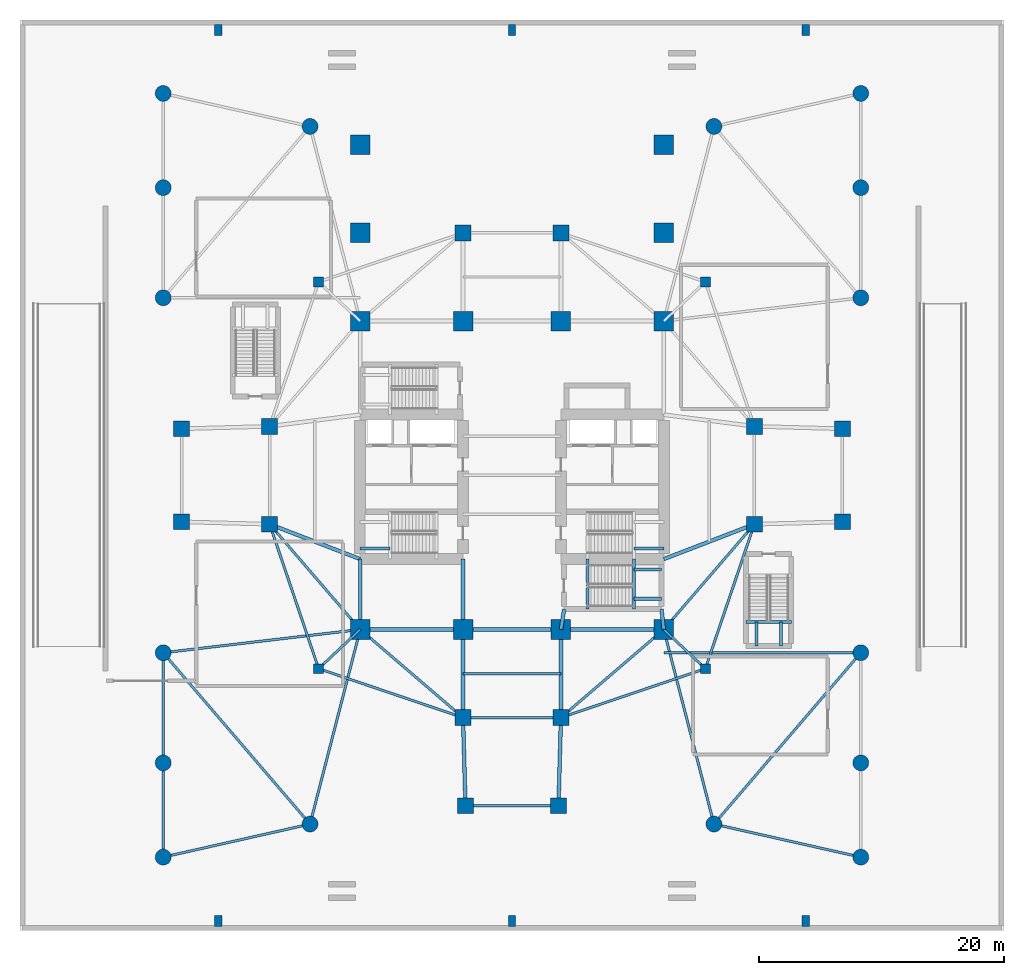
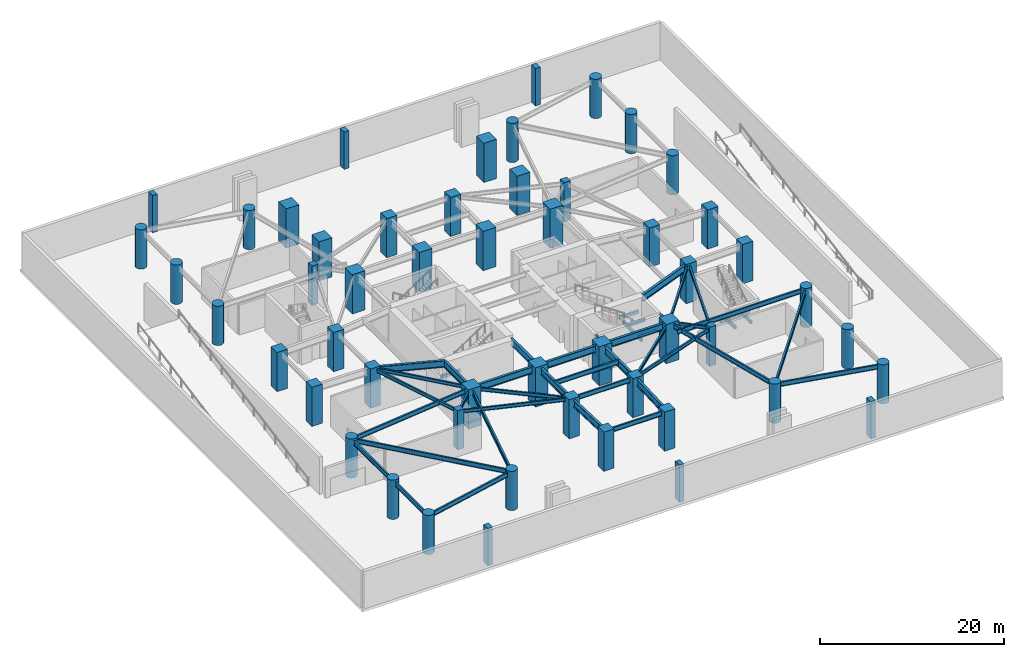
# One storey, part 1 of 12: 52 columns, 45 beams.
"""IFC4 building model written with IfcOpenShell, lengths in metres."""

from ifc_helpers import new_model, si_unit, direction, frame, origin, origin_2d, place, context, subcontext, project, spatial, rectangle, circle, i_section, extrude, material, material_profile, profile_set, type_object, element, save


model = new_model("IFC4")

# Units and contexts
model_context = context("Model", 3, precision=1e-05, world=origin(), true_north=direction((0.0, 1.0)))
body_context = subcontext(model_context, "Body", "Model", "MODEL_VIEW")
ifc_project = project(units=[si_unit("LENGTHUNIT", "METRE"), si_unit("AREAUNIT", "SQUARE_METRE"), si_unit("VOLUMEUNIT", "CUBIC_METRE"), si_unit("PLANEANGLEUNIT", "RADIAN"), si_unit("MASSUNIT", "GRAM", prefix="KILO")], contexts=[model_context])

# Site, building, storey
site_placement = place(None, origin())
site = spatial("IfcSite", under=ifc_project, at=site_placement, CompositionType="ELEMENT")
building_placement = place(site_placement, origin())
building = spatial("IfcBuilding", under=site, at=building_placement, Name="Qingluan Cross Belvedere", CompositionType="ELEMENT")
storey_placement = place(building_placement, frame((0.0, 0.0, -5.199951171875)))
storey = spatial("IfcBuildingStorey", under=building, at=storey_placement, Name="B1", CompositionType="ELEMENT", Elevation=-5.199951171875)

# Columns
ifc_material_1 = material(Name="Concrete C60", Category="concrete")
ifc_material_profile_1 = material_profile(ifc_material_1, rectangle(XDim=1.300048828125, YDim=1.300048828125, at=origin_2d()), Name="RC1300x1300")
ifc_profile_set_1 = profile_set([ifc_material_profile_1], Name="Concrete C60")
column_type_1 = type_object("IfcColumnType", Name="Column_RC1300x1300", PredefinedType="COLUMN", material=ifc_profile_set_1)
for number, where, z_axis, x_axis, name in (
    (1, (19.800048828125, -4.0, 0.0), (0.0, 0.0, 1.0), (1.0, 0.0, 0.0), "Arm column B1-EIA"),
    (2, (19.800048828125, 4.0, 0.0), (0.0, 0.0, 1.0), (1.0, 0.0, 0.0), "Arm column B1-EIB"),
    (3, (-19.800048828125, -4.0, 0.0), (0.0, 0.0, 1.0), (1.0, 0.0, 0.0), "Arm column B1-WIA"),
    (4, (-19.800048828125, 4.0, 0.0), (0.0, 0.0, 1.0), (1.0, 0.0, 0.0), "Arm column B1-WIB"),
    (5, (-4.0, -19.800048828125, 0.0), (0.0, 0.0, 1.0), (1.0, 0.0, 0.0), "Arm column B1-SIA"),
    (6, (4.0, -19.800048828125, 0.0), (0.0, 0.0, 1.0), (1.0, 0.0, 0.0), "Arm column B1-SIB"),
    (7, (-4.0, 19.800048828125, 0.0), (0.0, 0.0, 1.0), (1.0, 0.0, 0.0), "Arm column B1-NIA"),
    (8, (4.0, 19.800048828125, 0.0), (0.0, 0.0, 1.0), (1.0, 0.0, 0.0), "Arm column B1-NIB"),
    (9, (27.0, -3.800048828125, 0.0), (0.0, 0.0, 1.0), (1.0, 0.0, 0.0), "Arm column B1-EOA"),
    (10, (27.0, 3.800048828125, 0.0), (0.0, 0.0, 1.0), (1.0, 0.0, 0.0), "Arm column B1-EOB"),
    (11, (-27.0, -3.800048828125, 0.0), (0.0, 0.0, 1.0), (1.0, 0.0, 0.0), "Arm column B1-WOA"),
    (12, (-27.0, 3.800048828125, 0.0), (0.0, 0.0, 1.0), (1.0, 0.0, 0.0), "Arm column B1-WOB"),
    (13, (-3.800048828125, -27.0, 0.0), (0.0, 0.0, 1.0), (1.0, 0.0, 0.0), "Arm column B1-SOA"),
    (14, (3.800048828125, -27.0, 0.0), (0.0, 0.0, 1.0), (1.0, 0.0, 0.0), "Arm column B1-SOB"),
):
    element("IfcColumn", number, at=place(storey_placement, frame(where, z_axis=z_axis, x_axis=x_axis)), inside=storey, type_object=column_type_1, Name=name, PredefinedType="COLUMN", context=body_context, shape_type="SweptSolid", body=[
        extrude(rectangle(XDim=1.300048828125, YDim=1.300048828125, at=origin_2d()), origin(), (0.0, 0.0, 1.0), 5.199951171875),
    ])
ifc_material_2 = material(Name="Concrete C70", Category="concrete")
ifc_material_profile_2 = material_profile(ifc_material_2, rectangle(XDim=1.60009765625, YDim=1.60009765625, at=origin_2d()), Name="RC1600x1600")
ifc_profile_set_2 = profile_set([ifc_material_profile_2], Name="Concrete C70")
column_type_2 = type_object("IfcColumnType", Name="Column_RC1600x1600", PredefinedType="COLUMN", material=ifc_profile_set_2)
for number, where, z_axis, x_axis, name in (
    (15, (-12.39990234375, 19.800048828125, 0.0), (0.0, 0.0, 1.0), (1.0, 0.0, 0.0), "Ballroom transfer pier B1-BM1W"),
    (16, (-12.39990234375, 27.0, 0.0), (0.0, 0.0, 1.0), (1.0, 0.0, 0.0), "Ballroom transfer pier B1-BM2W"),
    (17, (12.39990234375, 19.800048828125, 0.0), (0.0, 0.0, 1.0), (1.0, 0.0, 0.0), "Ballroom transfer pier B1-BM1E"),
    (18, (12.39990234375, 27.0, 0.0), (0.0, 0.0, 1.0), (1.0, 0.0, 0.0), "Ballroom transfer pier B1-BM2E"),
    (19, (-12.39990234375, -12.60009765625, 0.0), (0.0, 0.0, 1.0), (1.0, 0.0, 0.0), "Hub column B1-HC1"),
    (20, (12.39990234375, -12.60009765625, 0.0), (0.0, 0.0, 1.0), (1.0, 0.0, 0.0), "Hub column B1-HC2"),
    (21, (12.39990234375, 12.60009765625, 0.0), (0.0, 0.0, 1.0), (1.0, 0.0, 0.0), "Hub column B1-HC3"),
    (22, (-12.39990234375, 12.60009765625, 0.0), (0.0, 0.0, 1.0), (1.0, 0.0, 0.0), "Hub column B1-HC4"),
    (23, (-4.0, -12.60009765625, 0.0), (0.0, 0.0, 1.0), (1.0, 0.0, 0.0), "Hub column B1-HC5"),
    (24, (4.0, -12.60009765625, 0.0), (0.0, 0.0, 1.0), (1.0, 0.0, 0.0), "Hub column B1-HC6"),
    (25, (4.0, 12.60009765625, 0.0), (0.0, 0.0, 1.0), (1.0, 0.0, 0.0), "Hub column B1-HC7"),
    (26, (-4.0, 12.60009765625, 0.0), (0.0, 0.0, 1.0), (1.0, 0.0, 0.0), "Hub column B1-HC8"),
):
    element("IfcColumn", number, at=place(storey_placement, frame(where, z_axis=z_axis, x_axis=x_axis)), inside=storey, type_object=column_type_2, Name=name, PredefinedType="COLUMN", context=body_context, shape_type="SweptSolid", body=[
        extrude(rectangle(XDim=1.60009765625, YDim=1.60009765625, at=origin_2d()), origin(), (0.0, 0.0, 1.0), 5.199951171875),
    ])
ifc_material_3 = material(Name="Concrete C50", Category="concrete")
ifc_material_profile_3 = material_profile(ifc_material_3, rectangle(XDim=0.800048828125, YDim=0.800048828125, at=origin_2d()), Name="RC800x800")
ifc_profile_set_3 = profile_set([ifc_material_profile_3], Name="Concrete C50")
column_type_3 = type_object("IfcColumnType", Name="Column_RC800x800", PredefinedType="COLUMN", material=ifc_profile_set_3)
for number, where, z_axis, x_axis, name in (
    (27, (15.800048828125, 15.800048828125, 0.0), (0.0, 0.0, 1.0), (1.0, 0.0, 0.0), "Corner column B1-RNE"),
    (28, (-15.800048828125, 15.800048828125, 0.0), (0.0, 0.0, 1.0), (1.0, 0.0, 0.0), "Corner column B1-RNW"),
    (29, (-15.800048828125, -15.800048828125, 0.0), (0.0, 0.0, 1.0), (1.0, 0.0, 0.0), "Corner column B1-RSW"),
    (30, (15.800048828125, -15.800048828125, 0.0), (0.0, 0.0, 1.0), (1.0, 0.0, 0.0), "Corner column B1-RSE"),
):
    element("IfcColumn", number, at=place(storey_placement, frame(where, z_axis=z_axis, x_axis=x_axis)), inside=storey, type_object=column_type_3, Name=name, PredefinedType="COLUMN", context=body_context, shape_type="SweptSolid", body=[
        extrude(rectangle(XDim=0.800048828125, YDim=0.800048828125, at=origin_2d()), origin(), (0.0, 0.0, 1.0), 5.199951171875),
    ])
ifc_material_4 = material(Name="Concrete C60", Category="concrete")
ifc_material_profile_4 = material_profile(ifc_material_4, circle(Radius=0.64990234375, at=origin_2d()), Name="RCC1300")
ifc_profile_set_4 = profile_set([ifc_material_profile_4], Name="Concrete C60")
column_type_4 = type_object("IfcColumnType", Name="Column_RCC1300", PredefinedType="COLUMN", material=ifc_profile_set_4)
for number, where, z_axis, x_axis, name in (
    (31, (-28.5, -14.5, 0.0), (0.0, 0.0, 1.0), (1.0, 0.0, 0.0), "Podium column B1-WS1"),
    (32, (-28.5, -23.5, 0.0), (0.0, 0.0, 1.0), (1.0, 0.0, 0.0), "Podium column B1-WS2"),
    (33, (-16.5, -28.5, 0.0), (0.0, 0.0, 1.0), (1.0, 0.0, 0.0), "Podium column B1-WS3"),
    (34, (-28.5, -31.199951171875, 0.0), (0.0, 0.0, 1.0), (1.0, 0.0, 0.0), "Podium column B1-WS4"),
    (35, (-28.5, 14.5, 0.0), (0.0, 0.0, 1.0), (1.0, 0.0, 0.0), "Podium column B1-WN1"),
    (36, (-28.5, 23.5, 0.0), (0.0, 0.0, 1.0), (1.0, 0.0, 0.0), "Podium column B1-WN2"),
    (37, (-16.5, 28.5, 0.0), (0.0, 0.0, 1.0), (1.0, 0.0, 0.0), "Podium column B1-WN3"),
    (38, (-28.5, 31.199951171875, 0.0), (0.0, 0.0, 1.0), (1.0, 0.0, 0.0), "Podium column B1-WN4"),
    (39, (28.5, -14.5, 0.0), (0.0, 0.0, 1.0), (1.0, 0.0, 0.0), "Podium column B1-ES1"),
    (40, (28.5, -23.5, 0.0), (0.0, 0.0, 1.0), (1.0, 0.0, 0.0), "Podium column B1-ES2"),
    (41, (16.5, -28.5, 0.0), (0.0, 0.0, 1.0), (1.0, 0.0, 0.0), "Podium column B1-ES3"),
    (42, (28.5, -31.199951171875, 0.0), (0.0, 0.0, 1.0), (1.0, 0.0, 0.0), "Podium column B1-ES4"),
    (43, (28.5, 14.5, 0.0), (0.0, 0.0, 1.0), (1.0, 0.0, 0.0), "Podium column B1-EN1"),
    (44, (28.5, 23.5, 0.0), (0.0, 0.0, 1.0), (1.0, 0.0, 0.0), "Podium column B1-EN2"),
    (45, (16.5, 28.5, 0.0), (0.0, 0.0, 1.0), (1.0, 0.0, 0.0), "Podium column B1-EN3"),
    (46, (28.5, 31.199951171875, 0.0), (0.0, 0.0, 1.0), (1.0, 0.0, 0.0), "Podium column B1-EN4"),
):
    element("IfcColumn", number, at=place(storey_placement, frame(where, z_axis=z_axis, x_axis=x_axis)), inside=storey, type_object=column_type_4, Name=name, PredefinedType="COLUMN", context=body_context, shape_type="SweptSolid", body=[
        extrude(circle(Radius=0.64990234375, at=origin_2d()), origin(), (0.0, 0.0, 1.0), 5.199951171875),
    ])
ifc_material_5 = material(Name="Concrete C50", Category="concrete")
ifc_material_profile_5 = material_profile(ifc_material_5, rectangle(XDim=0.60009765625, YDim=0.89990234375, at=origin_2d()), Name="RC600x900")
ifc_profile_set_5 = profile_set([ifc_material_profile_5], Name="Concrete C50")
column_type_5 = type_object("IfcColumnType", Name="Pilaster_RC600x900", PredefinedType="PILASTER", material=ifc_profile_set_5)
for number, where, z_axis, x_axis, name in (
    (47, (-24.0, -36.39990234375, 0.0), (0.0, 0.0, 1.0), (1.0, 0.0, 0.0), "Retaining wall pilaster B1-S1"),
    (48, (-24.0, 36.39990234375, 0.0), (0.0, 0.0, 1.0), (1.0, 0.0, 0.0), "Retaining wall pilaster B1-N1"),
    (49, (0.0, -36.39990234375, 0.0), (0.0, 0.0, 1.0), (1.0, 0.0, 0.0), "Retaining wall pilaster B1-S2"),
    (50, (0.0, 36.39990234375, 0.0), (0.0, 0.0, 1.0), (1.0, 0.0, 0.0), "Retaining wall pilaster B1-N2"),
    (51, (24.0, -36.39990234375, 0.0), (0.0, 0.0, 1.0), (1.0, 0.0, 0.0), "Retaining wall pilaster B1-S3"),
    (52, (24.0, 36.39990234375, 0.0), (0.0, 0.0, 1.0), (1.0, 0.0, 0.0), "Retaining wall pilaster B1-N3"),
):
    element("IfcColumn", number, at=place(storey_placement, frame(where, z_axis=z_axis, x_axis=x_axis)), inside=storey, type_object=column_type_5, Name=name, PredefinedType="PILASTER", context=body_context, shape_type="SweptSolid", body=[
        extrude(rectangle(XDim=0.60009765625, YDim=0.89990234375, at=origin_2d()), origin(), (0.0, 0.0, 1.0), 4.949951171875),
    ])

# Beams
ifc_material_6 = material(Name="Concrete C45", Category="concrete")
ifc_material_profile_6 = material_profile(ifc_material_6, rectangle(XDim=0.25, YDim=0.39990234375, at=origin_2d()), Name="RC250x400")
ifc_profile_set_6 = profile_set([ifc_material_profile_6], Name="Concrete C45")
beam_type_1 = type_object("IfcBeamType", Name="RC_Lintel_RC250x400", PredefinedType="LINTEL", material=ifc_profile_set_6)
beam_1_placement = place(storey_placement, frame((6.179931640625, -10.93994140625, -0.199951171875), z_axis=(0.0, 1.0, 0.0), x_axis=(-1.0, 0.0, 0.0)))
element("IfcBeam", 53, at=beam_1_placement, inside=storey, type_object=beam_type_1, Name="Stair ST4 landing beam B1", PredefinedType="LINTEL", context=body_context, shape_type="SweptSolid", body=[
    extrude(rectangle(XDim=0.25, YDim=0.39990234375, at=origin_2d()), origin(), (0.0, 0.0, 1.0), 4.08984375),
])
for number, where, z_axis, x_axis, name in (
    (54, (-12.39990234375, -6.0, 2.199951171875), (1.0, 0.0, 0.0), (0.0, 1.0, 0.0), "Stair ST1 beam B B1"),
    (55, (12.39990234375, -6.0, 2.199951171875), (-1.0, 0.0, 0.0), (0.0, -1.0, 0.0), "Stair ST2 beam B B1"),
):
    element("IfcBeam", number, at=place(storey_placement, frame(where, z_axis=z_axis, x_axis=x_axis)), inside=storey, type_object=beam_type_1, Name=name, PredefinedType="LINTEL", context=body_context, shape_type="SweptSolid", body=[
        extrude(rectangle(XDim=0.25, YDim=0.39990234375, at=origin_2d()), origin(), (0.0, 0.0, 1.0), 2.429931640625),
    ])
beam_2_placement = place(storey_placement, frame((9.969970703125, -10.93994140625, 2.199951171875), z_axis=(0.0, 1.0, 0.0), x_axis=(-1.0, 0.0, 0.0)))
element("IfcBeam", 56, at=beam_2_placement, inside=storey, type_object=beam_type_1, Name="Stair ST4 beam A B1", PredefinedType="LINTEL", context=body_context, shape_type="SweptSolid", body=[
    extrude(rectangle(XDim=0.25, YDim=0.39990234375, at=origin_2d()), origin(), (0.0, 0.0, 1.0), 4.08984375),
])
for number, where, z_axis, x_axis, name in (
    (57, (12.219970703125, -10.090087890625, 2.199951171875), (-1.0, 0.0, 0.0), (0.0, -1.0, 0.0), "Stair ST4 beam B B1"),
    (58, (12.219970703125, -7.699951171875, 2.199951171875), (-1.0, 0.0, 0.0), (0.0, -1.0, 0.0), "Stair ST4 beam C B1"),
):
    element("IfcBeam", number, at=place(storey_placement, frame(where, z_axis=z_axis, x_axis=x_axis)), inside=storey, type_object=beam_type_1, Name=name, PredefinedType="LINTEL", context=body_context, shape_type="SweptSolid", body=[
        extrude(rectangle(XDim=0.25, YDim=0.39990234375, at=origin_2d()), origin(), (0.0, 0.0, 1.0), 2.25),
    ])
beam_3_placement = place(storey_placement, frame((19.1201171875, -12.0, 2.199951171875), z_axis=(1.0, 0.0, 0.0), x_axis=(0.0, 1.0, 0.0)))
element("IfcBeam", 59, at=beam_3_placement, inside=storey, type_object=beam_type_1, Name="Stair ST6 beam A B1", PredefinedType="LINTEL", context=body_context, shape_type="SweptSolid", body=[
    extrude(rectangle(XDim=0.25, YDim=0.39990234375, at=origin_2d()), origin(), (0.0, 0.0, 1.0), 3.699951171875),
])
for number, where, z_axis, x_axis, name in (
    (60, (19.969970703125, -13.949951171875, 2.199951171875), (0.0, 1.0, 0.0), (-1.0, 0.0, 0.0), "Stair ST6 beam B B1"),
    (61, (21.969970703125, -13.949951171875, 2.199951171875), (0.0, 1.0, 0.0), (-1.0, 0.0, 0.0), "Stair ST6 beam C B1"),
):
    element("IfcBeam", number, at=place(storey_placement, frame(where, z_axis=z_axis, x_axis=x_axis)), inside=storey, type_object=beam_type_1, Name=name, PredefinedType="LINTEL", context=body_context, shape_type="SweptSolid", body=[
        extrude(rectangle(XDim=0.25, YDim=0.39990234375, at=origin_2d()), origin(), (0.0, 0.0, 1.0), 1.949951171875),
    ])
ifc_material_7 = material(Name="Steel Q420GJB", Category="steel")
ifc_material_profile_7 = material_profile(ifc_material_7, i_section(OverallWidth=0.199951171875, OverallDepth=0.449951171875, WebThickness=0.009033203125, FlangeThickness=0.013916015625, FilletRadius=0.01611328125, at=origin_2d()), Name="HN450x200x9x14")
ifc_profile_set_7 = profile_set([ifc_material_profile_7], Name="Steel Q420GJB")
beam_type_2 = type_object("IfcBeamType", Name="Steel_Beam_HN450x200x9x14", PredefinedType="JOIST", material=ifc_profile_set_7)
beam_4_placement = place(storey_placement, frame((-12.39990234375, -12.60009765625, 4.724853515625), z_axis=(-0.728219948308, -0.685343495546, 0.0), x_axis=(0.685343495546, -0.728219948308, 0.0)))
element("IfcBeam", 62, at=beam_4_placement, inside=storey, type_object=beam_type_2, Name="Corner beam 1 B1-RSW", PredefinedType="JOIST", context=body_context, shape_type="SweptSolid", body=[
    extrude(i_section(OverallWidth=0.199951171875, OverallDepth=0.449951171875, WebThickness=0.009033203125, FlangeThickness=0.013916015625, FilletRadius=0.01611328125, at=origin_2d()), origin(), (0.0, 0.0, 1.0), 4.669189453125),
])
for number, where, z_axis, x_axis, name in (
    (63, (-15.800048828125, -15.800048828125, 4.724853515625), (0.947066283324, -0.321038089628, 0.0), (0.321038089628, 0.947066283324, 0.0), "Corner beam 2 B1-RSW"),
    (64, (-15.800048828125, -15.800048828125, 4.724853515625), (-0.321038089628, 0.947066283324, 0.0), (-0.947066283324, -0.321038089628, 0.0), "Corner beam 3 B1-RSW"),
):
    element("IfcBeam", number, at=place(storey_placement, frame(where, z_axis=z_axis, x_axis=x_axis)), inside=storey, type_object=beam_type_2, Name=name, PredefinedType="JOIST", context=body_context, shape_type="SweptSolid", body=[
        extrude(i_section(OverallWidth=0.199951171875, OverallDepth=0.449951171875, WebThickness=0.009033203125, FlangeThickness=0.013916015625, FilletRadius=0.01611328125, at=origin_2d()), origin(), (0.0, 0.0, 1.0), 12.45947265625),
    ])
beam_5_placement = place(storey_placement, frame((-12.39990234375, -12.60009765625, 4.724853515625), z_axis=(-0.652245077546, 0.75800815221, 0.0), x_axis=(-0.75800815221, -0.652245077546, 0.0)))
element("IfcBeam", 65, at=beam_5_placement, inside=storey, type_object=beam_type_2, Name="Corner beam 4 B1-RSW", PredefinedType="JOIST", context=body_context, shape_type="SweptSolid", body=[
    extrude(i_section(OverallWidth=0.199951171875, OverallDepth=0.449951171875, WebThickness=0.009033203125, FlangeThickness=0.013916015625, FilletRadius=0.01611328125, at=origin_2d()), origin(), (0.0, 0.0, 1.0), 11.345703125),
])
beam_6_placement = place(storey_placement, frame((-12.39990234375, -12.60009765625, 4.724853515625), z_axis=(0.759255044656, -0.650793190779, 0.0), x_axis=(0.650793190779, 0.759255044656, 0.0)))
element("IfcBeam", 66, at=beam_6_placement, inside=storey, type_object=beam_type_2, Name="Corner beam 5 B1-RSW", PredefinedType="JOIST", context=body_context, shape_type="SweptSolid", body=[
    extrude(i_section(OverallWidth=0.199951171875, OverallDepth=0.449951171875, WebThickness=0.009033203125, FlangeThickness=0.013916015625, FilletRadius=0.01611328125, at=origin_2d()), origin(), (0.0, 0.0, 1.0), 11.063232421875),
])
beam_7_placement = place(storey_placement, frame((12.39990234375, -12.60009765625, 4.724853515625), z_axis=(0.728219948308, -0.685343495546, 0.0), x_axis=(0.685343495546, 0.728219948308, 0.0)))
element("IfcBeam", 67, at=beam_7_placement, inside=storey, type_object=beam_type_2, Name="Corner beam 1 B1-RSE", PredefinedType="JOIST", context=body_context, shape_type="SweptSolid", body=[
    extrude(i_section(OverallWidth=0.199951171875, OverallDepth=0.449951171875, WebThickness=0.009033203125, FlangeThickness=0.013916015625, FilletRadius=0.01611328125, at=origin_2d()), origin(), (0.0, 0.0, 1.0), 4.669189453125),
])
for number, where, z_axis, x_axis, name in (
    (68, (15.800048828125, -15.800048828125, 4.724853515625), (-0.947066283324, -0.321038089628, 0.0), (0.321038089628, -0.947066283324, 0.0), "Corner beam 2 B1-RSE"),
    (69, (15.800048828125, -15.800048828125, 4.724853515625), (0.321038089628, 0.947066283324, 0.0), (-0.947066283324, 0.321038089628, 0.0), "Corner beam 3 B1-RSE"),
):
    element("IfcBeam", number, at=place(storey_placement, frame(where, z_axis=z_axis, x_axis=x_axis)), inside=storey, type_object=beam_type_2, Name=name, PredefinedType="JOIST", context=body_context, shape_type="SweptSolid", body=[
        extrude(i_section(OverallWidth=0.199951171875, OverallDepth=0.449951171875, WebThickness=0.009033203125, FlangeThickness=0.013916015625, FilletRadius=0.01611328125, at=origin_2d()), origin(), (0.0, 0.0, 1.0), 12.45947265625),
    ])
beam_8_placement = place(storey_placement, frame((12.39990234375, -12.60009765625, 4.724853515625), z_axis=(0.652245077546, 0.75800815221, 0.0), x_axis=(-0.75800815221, 0.652245077546, 0.0)))
element("IfcBeam", 70, at=beam_8_placement, inside=storey, type_object=beam_type_2, Name="Corner beam 4 B1-RSE", PredefinedType="JOIST", context=body_context, shape_type="SweptSolid", body=[
    extrude(i_section(OverallWidth=0.199951171875, OverallDepth=0.449951171875, WebThickness=0.009033203125, FlangeThickness=0.013916015625, FilletRadius=0.01611328125, at=origin_2d()), origin(), (0.0, 0.0, 1.0), 11.345703125),
])
beam_9_placement = place(storey_placement, frame((12.39990234375, -12.60009765625, 4.724853515625), z_axis=(-0.759255044656, -0.650793190779, 0.0), x_axis=(0.650793190779, -0.759255044656, 0.0)))
element("IfcBeam", 71, at=beam_9_placement, inside=storey, type_object=beam_type_2, Name="Corner beam 5 B1-RSE", PredefinedType="JOIST", context=body_context, shape_type="SweptSolid", body=[
    extrude(i_section(OverallWidth=0.199951171875, OverallDepth=0.449951171875, WebThickness=0.009033203125, FlangeThickness=0.013916015625, FilletRadius=0.01611328125, at=origin_2d()), origin(), (0.0, 0.0, 1.0), 11.063232421875),
])
ifc_material_8 = material(Name="Steel Q420GJB", Category="steel")
ifc_material_profile_8 = material_profile(ifc_material_8, i_section(OverallWidth=0.199951171875, OverallDepth=0.60009765625, WebThickness=0.010986328125, FlangeThickness=0.01708984375, FilletRadius=0.01806640625, at=origin_2d()), Name="HN600x200x11x17")
ifc_profile_set_8 = profile_set([ifc_material_profile_8], Name="Steel Q420GJB")
beam_type_3 = type_object("IfcBeamType", Name="Steel_Beam_HN600x200x11x17", PredefinedType="JOIST", material=ifc_profile_set_8)
for number, where, z_axis, x_axis, name in (
    (72, (-4.0, -19.800048828125, 4.64990234375), (1.0, 0.0, 0.0), (0.0, 1.0, 0.0), "Arm S tie B1"),
    (73, (-4.0, -16.199951171875, 4.64990234375), (1.0, 0.0, 0.0), (0.0, 1.0, 0.0), "Arm S beam B1"),
):
    element("IfcBeam", number, at=place(storey_placement, frame(where, z_axis=z_axis, x_axis=x_axis)), inside=storey, type_object=beam_type_3, Name=name, PredefinedType="JOIST", context=body_context, shape_type="SweptSolid", body=[
        extrude(i_section(OverallWidth=0.199951171875, OverallDepth=0.60009765625, WebThickness=0.010986328125, FlangeThickness=0.01708984375, FilletRadius=0.01806640625, at=origin_2d()), origin(), (0.0, 0.0, 1.0), 8.0),
    ])
beam_10_placement = place(storey_placement, frame((-3.800048828125, -27.0, 4.64990234375), z_axis=(1.0, 0.0, 0.0), x_axis=(0.0, 1.0, 0.0)))
element("IfcBeam", 74, at=beam_10_placement, inside=storey, type_object=beam_type_3, Name="Arm S tip transverse beam B1", PredefinedType="JOIST", context=body_context, shape_type="SweptSolid", body=[
    extrude(i_section(OverallWidth=0.199951171875, OverallDepth=0.60009765625, WebThickness=0.010986328125, FlangeThickness=0.01708984375, FilletRadius=0.01806640625, at=origin_2d()), origin(), (0.0, 0.0, 1.0), 7.60009765625),
])
beam_11_placement = place(storey_placement, frame((-12.39990234375, -12.60009765625, 4.64990234375), z_axis=(-0.99310921872, -0.117192489917, 0.0), x_axis=(0.117192489917, -0.99310921872, 0.0)))
element("IfcBeam", 75, at=beam_11_placement, inside=storey, type_object=beam_type_3, Name="Podium quadrant tie beam B1-WSH1", PredefinedType="JOIST", context=body_context, shape_type="SweptSolid", body=[
    extrude(i_section(OverallWidth=0.199951171875, OverallDepth=0.60009765625, WebThickness=0.010986328125, FlangeThickness=0.01708984375, FilletRadius=0.01806640625, at=origin_2d()), origin(), (0.0, 0.0, 1.0), 16.2119140625),
])
beam_12_placement = place(storey_placement, frame((-12.39990234375, -12.60009765625, 4.64990234375), z_axis=(-0.249700840873, -0.968323029814, 0.0), x_axis=(0.968323029814, -0.249700840873, 0.0)))
element("IfcBeam", 76, at=beam_12_placement, inside=storey, type_object=beam_type_3, Name="Podium quadrant tie beam B1-WSH3", PredefinedType="JOIST", context=body_context, shape_type="SweptSolid", body=[
    extrude(i_section(OverallWidth=0.199951171875, OverallDepth=0.60009765625, WebThickness=0.010986328125, FlangeThickness=0.01708984375, FilletRadius=0.01806640625, at=origin_2d()), origin(), (0.0, 0.0, 1.0), 16.419921875),
])
beam_13_placement = place(storey_placement, frame((-28.5, -14.5, 4.64990234375), z_axis=(0.0, -1.0, 0.0), x_axis=(1.0, 0.0, 0.0)))
element("IfcBeam", 77, at=beam_13_placement, inside=storey, type_object=beam_type_3, Name="Podium quadrant tie beam B1-WS12", PredefinedType="JOIST", context=body_context, shape_type="SweptSolid", body=[
    extrude(i_section(OverallWidth=0.199951171875, OverallDepth=0.60009765625, WebThickness=0.010986328125, FlangeThickness=0.01708984375, FilletRadius=0.01806640625, at=origin_2d()), origin(), (0.0, 0.0, 1.0), 9.0),
])
beam_14_placement = place(storey_placement, frame((-28.5, -23.5, 4.64990234375), z_axis=(0.0, -1.0, 0.0), x_axis=(1.0, 0.0, 0.0)))
element("IfcBeam", 78, at=beam_14_placement, inside=storey, type_object=beam_type_3, Name="Podium quadrant tie beam B1-WS24", PredefinedType="JOIST", context=body_context, shape_type="SweptSolid", body=[
    extrude(i_section(OverallWidth=0.199951171875, OverallDepth=0.60009765625, WebThickness=0.010986328125, FlangeThickness=0.01708984375, FilletRadius=0.01806640625, at=origin_2d()), origin(), (0.0, 0.0, 1.0), 7.699951171875),
])
beam_15_placement = place(storey_placement, frame((-16.5, -28.5, 4.64990234375), z_axis=(-0.975610606249, -0.219508416636, 0.0), x_axis=(0.219508416636, -0.975610606249, 0.0)))
element("IfcBeam", 79, at=beam_15_placement, inside=storey, type_object=beam_type_3, Name="Podium quadrant tie beam B1-WS34", PredefinedType="JOIST", context=body_context, shape_type="SweptSolid", body=[
    extrude(i_section(OverallWidth=0.199951171875, OverallDepth=0.60009765625, WebThickness=0.010986328125, FlangeThickness=0.01708984375, FilletRadius=0.01806640625, at=origin_2d()), origin(), (0.0, 0.0, 1.0), 12.300048828125),
])
beam_16_placement = place(storey_placement, frame((-28.5, -14.5, 4.64990234375), z_axis=(0.650791373456, -0.759256602365, 0.0), x_axis=(0.759256602365, 0.650791373456, 0.0)))
element("IfcBeam", 80, at=beam_16_placement, inside=storey, type_object=beam_type_3, Name="Podium quadrant tie beam B1-WS13", PredefinedType="JOIST", context=body_context, shape_type="SweptSolid", body=[
    extrude(i_section(OverallWidth=0.199951171875, OverallDepth=0.60009765625, WebThickness=0.010986328125, FlangeThickness=0.01708984375, FilletRadius=0.01806640625, at=origin_2d()), origin(), (0.0, 0.0, 1.0), 18.439208984375),
])
beam_17_placement = place(storey_placement, frame((12.39990234375, -14.5, 4.64990234375), z_axis=(1.0, 0.0, 0.0), x_axis=(0.0, 1.0, 0.0)))
element("IfcBeam", 81, at=beam_17_placement, inside=storey, type_object=beam_type_3, Name="Podium quadrant tie beam B1-ESH1", PredefinedType="JOIST", context=body_context, shape_type="SweptSolid", body=[
    extrude(i_section(OverallWidth=0.199951171875, OverallDepth=0.60009765625, WebThickness=0.010986328125, FlangeThickness=0.01708984375, FilletRadius=0.01806640625, at=origin_2d()), origin(), (0.0, 0.0, 1.0), 16.10009765625),
])
beam_18_placement = place(storey_placement, frame((12.39990234375, -12.60009765625, 4.64990234375), z_axis=(0.249700840873, -0.968323029814, 0.0), x_axis=(0.968323029814, 0.249700840873, 0.0)))
element("IfcBeam", 82, at=beam_18_placement, inside=storey, type_object=beam_type_3, Name="Podium quadrant tie beam B1-ESH3", PredefinedType="JOIST", context=body_context, shape_type="SweptSolid", body=[
    extrude(i_section(OverallWidth=0.199951171875, OverallDepth=0.60009765625, WebThickness=0.010986328125, FlangeThickness=0.01708984375, FilletRadius=0.01806640625, at=origin_2d()), origin(), (0.0, 0.0, 1.0), 16.419921875),
])
beam_19_placement = place(storey_placement, frame((16.5, -28.5, 4.64990234375), z_axis=(0.975610606249, -0.219508416636, 0.0), x_axis=(0.219508416636, 0.975610606249, 0.0)))
element("IfcBeam", 83, at=beam_19_placement, inside=storey, type_object=beam_type_3, Name="Podium quadrant tie beam B1-ES34", PredefinedType="JOIST", context=body_context, shape_type="SweptSolid", body=[
    extrude(i_section(OverallWidth=0.199951171875, OverallDepth=0.60009765625, WebThickness=0.010986328125, FlangeThickness=0.01708984375, FilletRadius=0.01806640625, at=origin_2d()), origin(), (0.0, 0.0, 1.0), 12.300048828125),
])
beam_20_placement = place(storey_placement, frame((28.5, -14.5, 4.64990234375), z_axis=(-0.650791373456, -0.759256602365, 0.0), x_axis=(0.759256602365, -0.650791373456, 0.0)))
element("IfcBeam", 84, at=beam_20_placement, inside=storey, type_object=beam_type_3, Name="Podium quadrant tie beam B1-ES13", PredefinedType="JOIST", context=body_context, shape_type="SweptSolid", body=[
    extrude(i_section(OverallWidth=0.199951171875, OverallDepth=0.60009765625, WebThickness=0.010986328125, FlangeThickness=0.01708984375, FilletRadius=0.01806640625, at=origin_2d()), origin(), (0.0, 0.0, 1.0), 18.439208984375),
])
ifc_material_9 = material(Name="Steel Q420GJB", Category="steel")
ifc_material_profile_9 = material_profile(ifc_material_9, i_section(OverallWidth=0.300048828125, OverallDepth=0.89990234375, WebThickness=0.0166015625, FlangeThickness=0.030029296875, FilletRadius=0.030029296875, at=origin_2d()), Name="HEB900")
ifc_profile_set_9 = profile_set([ifc_material_profile_9], Name="Steel Q420GJB")
beam_type_4 = type_object("IfcBeamType", Name="Steel_Girder_HEB900", PredefinedType="USERDEFINED", material=ifc_profile_set_9)
beam_21_placement = place(storey_placement, frame((-12.39990234375, -12.60009765625, 4.5), z_axis=(1.0, 0.0, 0.0), x_axis=(0.0, 1.0, 0.0)))
element("IfcBeam", 85, at=beam_21_placement, inside=storey, type_object=beam_type_4, Name="Hub girder B1-HG-S1", ObjectType="GIRDER", PredefinedType="USERDEFINED", context=body_context, shape_type="SweptSolid", body=[
    extrude(i_section(OverallWidth=0.300048828125, OverallDepth=0.89990234375, WebThickness=0.0166015625, FlangeThickness=0.030029296875, FilletRadius=0.030029296875, at=origin_2d()), origin(), (0.0, 0.0, 1.0), 8.39990234375),
])
beam_22_placement = place(storey_placement, frame((-4.0, -12.60009765625, 4.5), z_axis=(1.0, 0.0, 0.0), x_axis=(0.0, 1.0, 0.0)))
element("IfcBeam", 86, at=beam_22_placement, inside=storey, type_object=beam_type_4, Name="Hub girder B1-HG-S2", ObjectType="GIRDER", PredefinedType="USERDEFINED", context=body_context, shape_type="SweptSolid", body=[
    extrude(i_section(OverallWidth=0.300048828125, OverallDepth=0.89990234375, WebThickness=0.0166015625, FlangeThickness=0.030029296875, FilletRadius=0.030029296875, at=origin_2d()), origin(), (0.0, 0.0, 1.0), 8.0),
])
beam_23_placement = place(storey_placement, frame((4.0, -12.60009765625, 4.5), z_axis=(1.0, 0.0, 0.0), x_axis=(0.0, 1.0, 0.0)))
element("IfcBeam", 87, at=beam_23_placement, inside=storey, type_object=beam_type_4, Name="Hub girder B1-HG-S3", ObjectType="GIRDER", PredefinedType="USERDEFINED", context=body_context, shape_type="SweptSolid", body=[
    extrude(i_section(OverallWidth=0.300048828125, OverallDepth=0.89990234375, WebThickness=0.0166015625, FlangeThickness=0.030029296875, FilletRadius=0.030029296875, at=origin_2d()), origin(), (0.0, 0.0, 1.0), 8.39990234375),
])
beam_24_placement = place(storey_placement, frame((-12.39990234375, -12.60009765625, 4.5), z_axis=(0.0, 1.0, 0.0), x_axis=(-1.0, 0.0, 0.0)))
element("IfcBeam", 88, at=beam_24_placement, inside=storey, type_object=beam_type_4, Name="Hub girder B1-HG-W1", ObjectType="GIRDER", PredefinedType="USERDEFINED", context=body_context, shape_type="SweptSolid", body=[
    extrude(i_section(OverallWidth=0.300048828125, OverallDepth=0.89990234375, WebThickness=0.0166015625, FlangeThickness=0.030029296875, FilletRadius=0.030029296875, at=origin_2d()), origin(), (0.0, 0.0, 1.0), 5.75),
])
beam_25_placement = place(storey_placement, frame((12.39990234375, -12.60009765625, 4.5), z_axis=(-0.107751337451, 0.994177876075, 0.0), x_axis=(-0.994177876075, -0.107751337451, 0.0)))
element("IfcBeam", 89, at=beam_25_placement, inside=storey, type_object=beam_type_4, Name="Hub girder B1-HG-E1", ObjectType="GIRDER", PredefinedType="USERDEFINED", context=body_context, shape_type="SweptSolid", body=[
    extrude(i_section(OverallWidth=0.300048828125, OverallDepth=0.89990234375, WebThickness=0.0166015625, FlangeThickness=0.030029296875, FilletRadius=0.030029296875, at=origin_2d()), origin(), (0.0, 0.0, 1.0), 1.669921875),
])
beam_26_placement = place(storey_placement, frame((-4.0, -12.60009765625, 4.5), z_axis=(0.0, 1.0, 0.0), x_axis=(-1.0, 0.0, 0.0)))
element("IfcBeam", 90, at=beam_26_placement, inside=storey, type_object=beam_type_4, Name="Hub girder B1-HG-CW", ObjectType="GIRDER", PredefinedType="USERDEFINED", context=body_context, shape_type="SweptSolid", body=[
    extrude(i_section(OverallWidth=0.300048828125, OverallDepth=0.89990234375, WebThickness=0.0166015625, FlangeThickness=0.030029296875, FilletRadius=0.030029296875, at=origin_2d()), origin(), (0.0, 0.0, 1.0), 5.75),
])
beam_27_placement = place(storey_placement, frame((4.0, -12.60009765625, 4.5), z_axis=(0.154731433337, 0.987956569662, 0.0), x_axis=(-0.987956569662, 0.154731433337, 0.0)))
element("IfcBeam", 91, at=beam_27_placement, inside=storey, type_object=beam_type_4, Name="Hub girder B1-HG-CE", ObjectType="GIRDER", PredefinedType="USERDEFINED", context=body_context, shape_type="SweptSolid", body=[
    extrude(i_section(OverallWidth=0.300048828125, OverallDepth=0.89990234375, WebThickness=0.0166015625, FlangeThickness=0.030029296875, FilletRadius=0.030029296875, at=origin_2d()), origin(), (0.0, 0.0, 1.0), 1.680419921875),
])
for number, where, z_axis, x_axis, name in (
    (92, (12.39990234375, -6.85009765625, 4.5), (0.933181258889, 0.359406090735, 0.0), (-0.359406090735, 0.933181258889, 0.0), "Arm E radial girder A B1"),
    (93, (-12.39990234375, -6.85009765625, 4.5), (-0.933181258889, 0.359406090735, 0.0), (-0.359406090735, -0.933181258889, 0.0), "Arm W radial girder A B1"),
):
    element("IfcBeam", number, at=place(storey_placement, frame(where, z_axis=z_axis, x_axis=x_axis)), inside=storey, type_object=beam_type_4, Name=name, ObjectType="GIRDER", PredefinedType="USERDEFINED", context=body_context, shape_type="SweptSolid", body=[
        extrude(i_section(OverallWidth=0.300048828125, OverallDepth=0.89990234375, WebThickness=0.0166015625, FlangeThickness=0.030029296875, FilletRadius=0.030029296875, at=origin_2d()), origin(), (0.0, 0.0, 1.0), 7.929931640625),
    ])
for number, where, z_axis, x_axis, name in (
    (94, (-4.0, -12.60009765625, 4.5), (0.0, -1.0, 0.0), (1.0, 0.0, 0.0), "Arm S radial girder A B1"),
    (95, (4.0, -12.60009765625, 4.5), (0.0, -1.0, 0.0), (1.0, 0.0, 0.0), "Arm S radial girder B B1"),
):
    element("IfcBeam", number, at=place(storey_placement, frame(where, z_axis=z_axis, x_axis=x_axis)), inside=storey, type_object=beam_type_4, Name=name, ObjectType="GIRDER", PredefinedType="USERDEFINED", context=body_context, shape_type="SweptSolid", body=[
        extrude(i_section(OverallWidth=0.300048828125, OverallDepth=0.89990234375, WebThickness=0.0166015625, FlangeThickness=0.030029296875, FilletRadius=0.030029296875, at=origin_2d()), origin(), (0.0, 0.0, 1.0), 7.199951171875),
    ])
for number, where, z_axis, x_axis, name in (
    (96, (-4.0, -19.800048828125, 4.5), (0.027760481514, -0.999614603568, 0.0), (0.999614603568, 0.027760481514, 0.0), "Arm S outer radial girder A B1"),
    (97, (4.0, -19.800048828125, 4.5), (-0.027760481514, -0.999614603568, 0.0), (0.999614603568, -0.027760481514, 0.0), "Arm S outer radial girder B B1"),
):
    element("IfcBeam", number, at=place(storey_placement, frame(where, z_axis=z_axis, x_axis=x_axis)), inside=storey, type_object=beam_type_4, Name=name, ObjectType="GIRDER", PredefinedType="USERDEFINED", context=body_context, shape_type="SweptSolid", body=[
        extrude(i_section(OverallWidth=0.300048828125, OverallDepth=0.89990234375, WebThickness=0.0166015625, FlangeThickness=0.030029296875, FilletRadius=0.030029296875, at=origin_2d()), origin(), (0.0, 0.0, 1.0), 7.20263671875),
    ])

save(model, "model.ifc")
